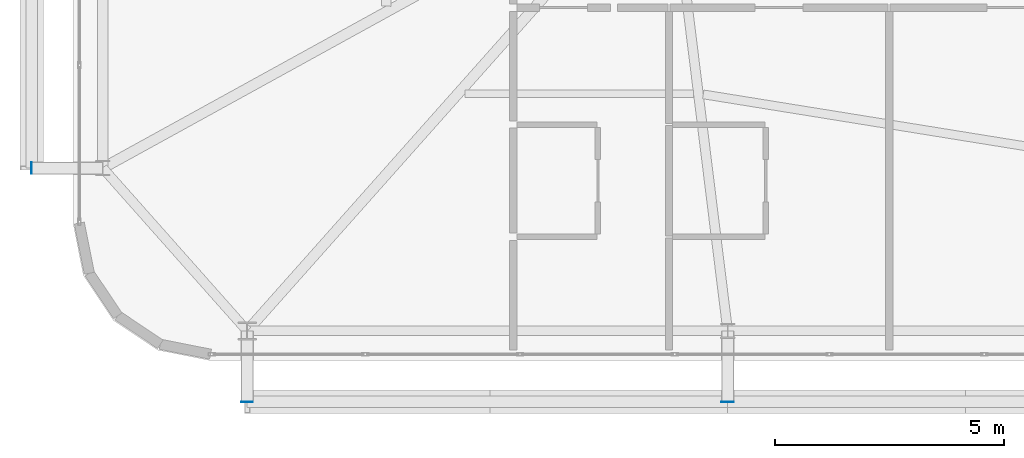
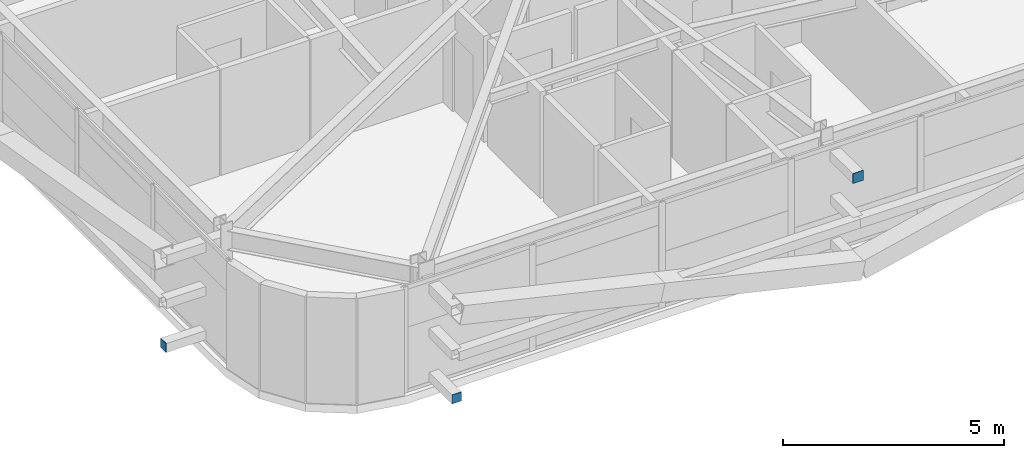
# One storey, part 44 of 59: 3 plates.
"""IFC4 building model written with IfcOpenShell, lengths in metres."""

from ifc_helpers import new_model, si_unit, direction, frame, origin, origin_2d, place, context, subcontext, project, spatial, rectangle, extrude, source, transform, mapped, material, layer, layer_set, type_object, element, save


model = new_model("IFC4")

# Units and contexts
model_context = context("Model", 3, precision=1e-05, world=origin(), true_north=direction((0.0, 1.0)))
body_context = subcontext(model_context, "Body", "Model", "MODEL_VIEW")
ifc_project = project(units=[si_unit("LENGTHUNIT", "METRE"), si_unit("AREAUNIT", "SQUARE_METRE"), si_unit("VOLUMEUNIT", "CUBIC_METRE"), si_unit("PLANEANGLEUNIT", "RADIAN"), si_unit("MASSUNIT", "GRAM", prefix="KILO")], contexts=[model_context])

# Site, building, storey
site_placement = place(None, origin())
site = spatial("IfcSite", under=ifc_project, at=site_placement, CompositionType="ELEMENT")
building_placement = place(site_placement, origin())
building = spatial("IfcBuilding", under=site, at=building_placement, Name="Taldren Reach Tower", CompositionType="ELEMENT")
storey_placement = place(building_placement, frame((0.0, 0.0, 19.949951171875)))
storey = spatial("IfcBuildingStorey", under=building, at=storey_placement, Name="L05", CompositionType="ELEMENT", Elevation=19.949951171875)

# Plates
ifc_material_1 = material(Name="Steel Gr 450 (C450L0)", Category="steel")
ifc_layer_1 = layer(ifc_material_1, 0.011962890625)
ifc_layer_set_1 = layer_set([ifc_layer_1], Name="Steel Gr 450 (C450L0)")
plate_type_1 = type_object("IfcPlateType", Name="PL-CAP-275", PredefinedType="SHEET", material=ifc_layer_set_1)
shared_shape_1 = source(origin(), body_context, "Body", "SweptSolid", [
    extrude(rectangle(XDim=0.27490234375, YDim=0.011962890625, at=origin_2d()), origin(), (0.0, 0.0, 1.0), 0.27490234375),
])
plate_1_placement = place(storey_placement, frame((19.280029296875, 0.593994140625, 2.5126953125), z_axis=(0.0, 0.0, 1.0), x_axis=(1.0, 0.0, 0.0)))
element("IfcPlate", 1, at=plate_1_placement, inside=storey, type_object=plate_type_1, Name="Tie strut end cap plate B1-S2 L05", PredefinedType="SHEET", context=body_context, shape_type="MappedRepresentation", body=[
    mapped(shared_shape_1, transform((0.0, 0.0, 0.0), scale=1.0)),
])
ifc_material_2 = material(Name="Steel Gr 350 (C350L0)", Category="steel")
ifc_layer_2 = layer(ifc_material_2, 0.011962890625)
ifc_layer_set_2 = layer_set([ifc_layer_2], Name="Steel Gr 350 (C350L0)")
plate_type_2 = type_object("IfcPlateType", Name="PL-CAP-250", PredefinedType="SHEET", material=ifc_layer_set_2)
shared_shape_2 = source(origin(), body_context, "Body", "SweptSolid", [
    extrude(rectangle(XDim=0.25, YDim=0.011962890625, at=origin_2d()), origin(), (0.0, 0.0, 1.0), 0.25),
])
plate_2_placement = place(storey_placement, frame((8.800048828125, 0.593994140625, 0.094970703125), z_axis=(0.0, 0.0, 1.0), x_axis=(1.0, 0.0, 0.0)))
element("IfcPlate", 2, at=plate_2_placement, inside=storey, type_object=plate_type_2, Name="Tie strut end cap plate B1-S1 L05", PredefinedType="SHEET", context=body_context, shape_type="MappedRepresentation", body=[
    mapped(shared_shape_2, transform((0.0, 0.0, 0.0), scale=1.0)),
])
shared_shape_3 = source(origin(), body_context, "Body", "SweptSolid", [
    extrude(rectangle(XDim=0.011962890625, YDim=0.25, at=origin_2d()), origin(), (0.0, 0.0, 1.0), 0.25),
])
plate_3_placement = place(storey_placement, frame((4.093994140625, 5.699951171875, 0.094970703125), z_axis=(0.0, 0.0, 1.0), x_axis=(1.0, 0.0, 0.0)))
element("IfcPlate", 3, at=plate_3_placement, inside=storey, type_object=plate_type_2, Name="Tie strut end cap plate B1-W1 L05", PredefinedType="SHEET", context=body_context, shape_type="MappedRepresentation", body=[
    mapped(shared_shape_3, transform((0.0, 0.0, 0.0), scale=1.0)),
])

save(model, "model.ifc")
